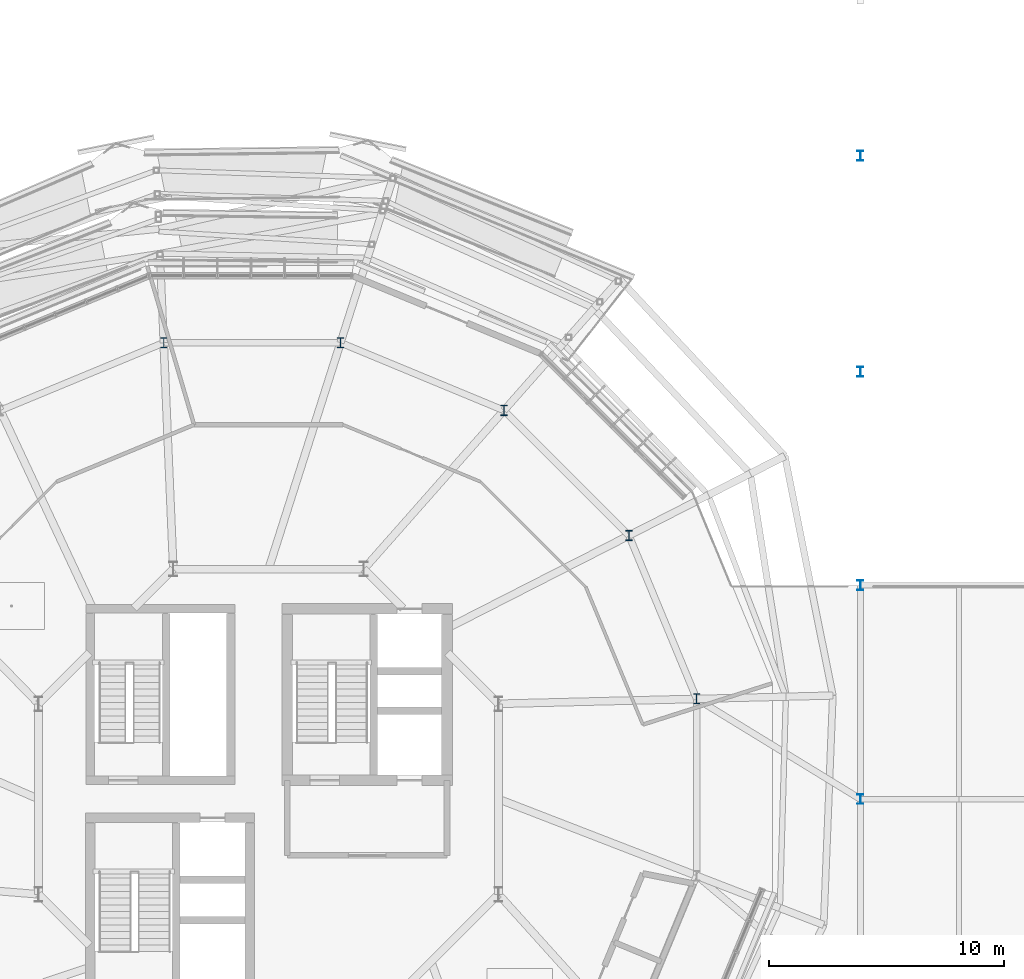
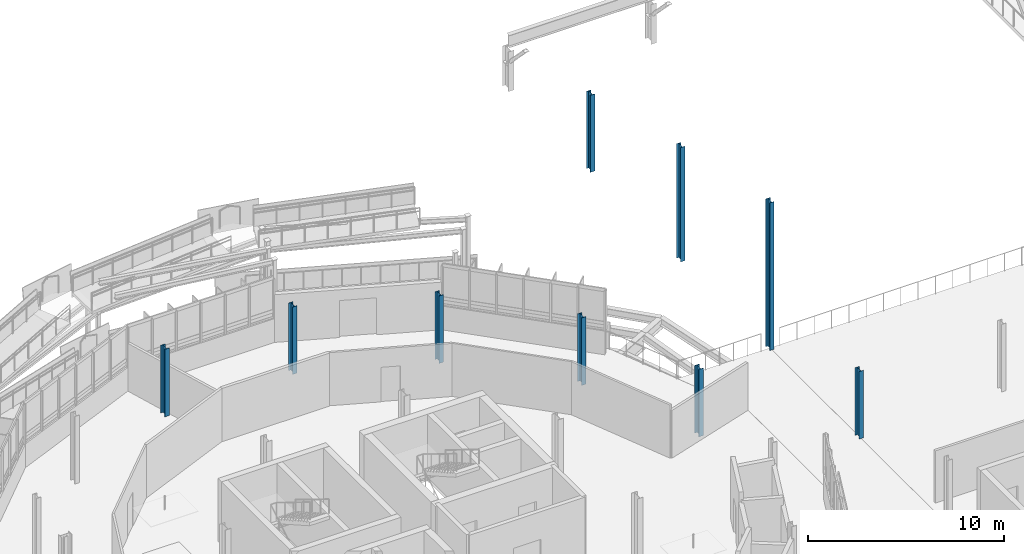
# One storey, part 6 of 107: 9 columns.
"""IFC4 building model written with IfcOpenShell, lengths in metres."""

from ifc_helpers import new_model, si_unit, derived_unit, direction, frame, origin, origin_2d, place, context, subcontext, project, spatial, i_section, extrude, material, material_profile, profile_set, type_object, element, save


model = new_model("IFC4")

# Units and contexts
model_context = context("Model", 3, precision=1e-05, world=origin(), true_north=direction((0.0, 1.0)))
body_context = subcontext(model_context, "Body", "Model", "MODEL_VIEW")
ifc_project = project(units=[si_unit("LENGTHUNIT", "METRE"), si_unit("AREAUNIT", "SQUARE_METRE"), si_unit("VOLUMEUNIT", "CUBIC_METRE"), si_unit("PLANEANGLEUNIT", "RADIAN"), si_unit("MASSUNIT", "GRAM", prefix="KILO"), derived_unit("THERMALTRANSMITTANCEUNIT", [(si_unit("MASSUNIT", "GRAM", prefix="KILO"), 1), (si_unit("TIMEUNIT", "SECOND"), -3), (si_unit("THERMODYNAMICTEMPERATUREUNIT", "KELVIN"), -1)])], contexts=[model_context])

# Site, building, storey
site_placement = place(None, origin())
site = spatial("IfcSite", under=ifc_project, at=site_placement, CompositionType="ELEMENT")
building_placement = place(site_placement, origin())
building = spatial("IfcBuilding", under=site, at=building_placement, Name="Makaiwela Harbour Ferry Terminal", CompositionType="ELEMENT")
storey_placement = place(building_placement, frame((0.0, 0.0, 9.60009765625)))
storey = spatial("IfcBuildingStorey", under=building, at=storey_placement, Name="L02", CompositionType="ELEMENT", Elevation=9.60009765625)

# Columns
ifc_material = material(Name="Steel ASTM A992 Grade 50", Category="steel")
ifc_material_profile_1 = material_profile(ifc_material, i_section(OverallWidth=0.264892578125, OverallDepth=0.430908203125, WebThickness=0.014892578125, FlangeThickness=0.02490234375, at=origin_2d()), Name="W16X100")
ifc_profile_set_1 = profile_set([ifc_material_profile_1], Name="Steel ASTM A992 Grade 50")
column_type_1 = type_object("IfcColumnType", Name="STR-COL-W16X100", PredefinedType="COLUMN", material=ifc_profile_set_1)
for number, where, z_axis, x_axis, name in (
    (1, (56.029296875, 71.865234375, 0.0), (0.0, 0.0, 1.0), (1.0, 0.0, 0.0), "Structural Column C-03"),
    (2, (53.1474609375, 78.822509765625, 0.0), (0.0, 0.0, 1.0), (1.0, 0.0, 0.0), "Structural Column C-03"),
    (3, (47.822509765625, 84.1474609375, 0.0), (0.0, 0.0, 1.0), (1.0, 0.0, 0.0), "Structural Column C-03"),
    (4, (40.865234375, 87.029296875, 0.0), (0.0, 0.0, 1.0), (1.0, 0.0, 0.0), "Structural Column C-03"),
    (5, (33.334716796875, 87.029296875, 0.0), (0.0, 0.0, 1.0), (1.0, 0.0, 0.0), "Structural Column C-03"),
):
    element("IfcColumn", number, at=place(storey_placement, frame(where, z_axis=z_axis, x_axis=x_axis)), inside=storey, type_object=column_type_1, Name=name, PredefinedType="COLUMN", context=body_context, shape_type="SweptSolid", body=[
        extrude(i_section(OverallWidth=0.264892578125, OverallDepth=0.430908203125, WebThickness=0.014892578125, FlangeThickness=0.02490234375, at=origin_2d()), origin(), (0.0, 0.0, 1.0), 4.199951171875),
    ])
ifc_material_profile_2 = material_profile(ifc_material, i_section(OverallWidth=0.260986328125, OverallDepth=0.4189453125, WebThickness=0.01171875, FlangeThickness=0.019287109375, at=origin_2d()), Name="W16X77")
ifc_profile_set_2 = profile_set([ifc_material_profile_2], Name="Steel ASTM A992 Grade 50")
column_type_2 = type_object("IfcColumnType", Name="STR-COL-W16X77", PredefinedType="COLUMN", material=ifc_profile_set_2)
column_1_placement = place(storey_placement, frame((63.0, 67.60009765625, 0.0), z_axis=(0.0, 0.0, 1.0), x_axis=(1.0, 0.0, 0.0)))
element("IfcColumn", 6, at=column_1_placement, inside=storey, type_object=column_type_2, Name="Structural Column C-04", PredefinedType="COLUMN", context=body_context, shape_type="SweptSolid", body=[
    extrude(i_section(OverallWidth=0.260986328125, OverallDepth=0.4189453125, WebThickness=0.01171875, FlangeThickness=0.019287109375, at=origin_2d()), origin(), (0.0, 0.0, 1.0), 4.199951171875),
])
column_2_placement = place(storey_placement, frame((63.0, 76.699951171875, 0.0), z_axis=(0.0, 0.0, 1.0), x_axis=(1.0, 0.0, 0.0)))
element("IfcColumn", 7, at=column_2_placement, inside=storey, type_object=column_type_2, Name="Structural Column C-04", PredefinedType="COLUMN", context=body_context, shape_type="SweptSolid", body=[
    extrude(i_section(OverallWidth=0.260986328125, OverallDepth=0.4189453125, WebThickness=0.01171875, FlangeThickness=0.019287109375, at=origin_2d()), origin(), (0.0, 0.0, 1.0), 9.19287109375),
])
column_3_placement = place(storey_placement, frame((63.0, 85.800048828125, 0.0), z_axis=(0.0, 0.0, 1.0), x_axis=(1.0, 0.0, 0.0)))
element("IfcColumn", 8, at=column_3_placement, inside=storey, type_object=column_type_2, Name="Structural Column C-04", PredefinedType="COLUMN", context=body_context, shape_type="SweptSolid", body=[
    extrude(i_section(OverallWidth=0.260986328125, OverallDepth=0.4189453125, WebThickness=0.01171875, FlangeThickness=0.019287109375, at=origin_2d()), origin(), (0.0, 0.0, 1.0), 7.11279296875),
])
column_4_placement = place(storey_placement, frame((63.0, 95.0, 0.0), z_axis=(0.0, 0.0, 1.0), x_axis=(1.0, 0.0, 0.0)))
element("IfcColumn", 9, at=column_4_placement, inside=storey, type_object=column_type_2, Name="Structural Column C-04", PredefinedType="COLUMN", context=body_context, shape_type="SweptSolid", body=[
    extrude(i_section(OverallWidth=0.260986328125, OverallDepth=0.4189453125, WebThickness=0.01171875, FlangeThickness=0.019287109375, at=origin_2d()), origin(), (0.0, 0.0, 1.0), 4.79296875),
])

save(model, "model.ifc")
